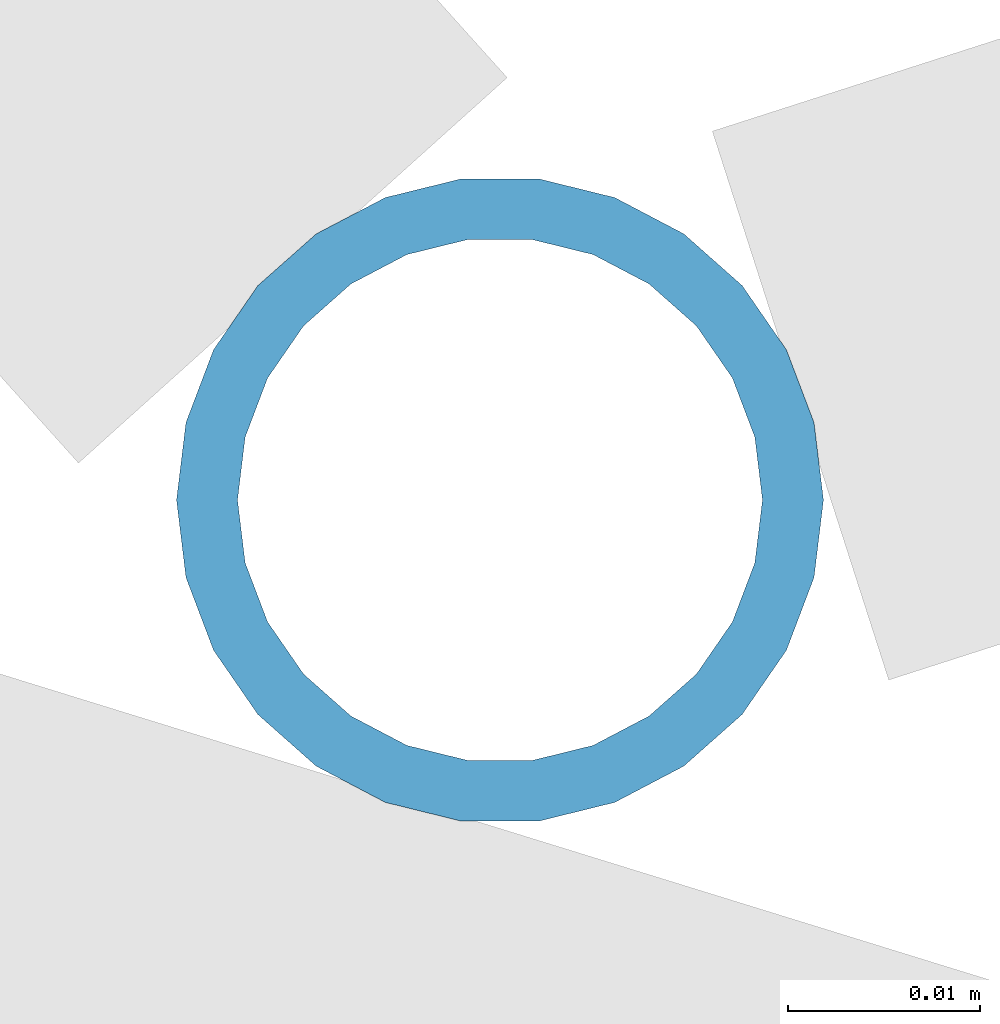
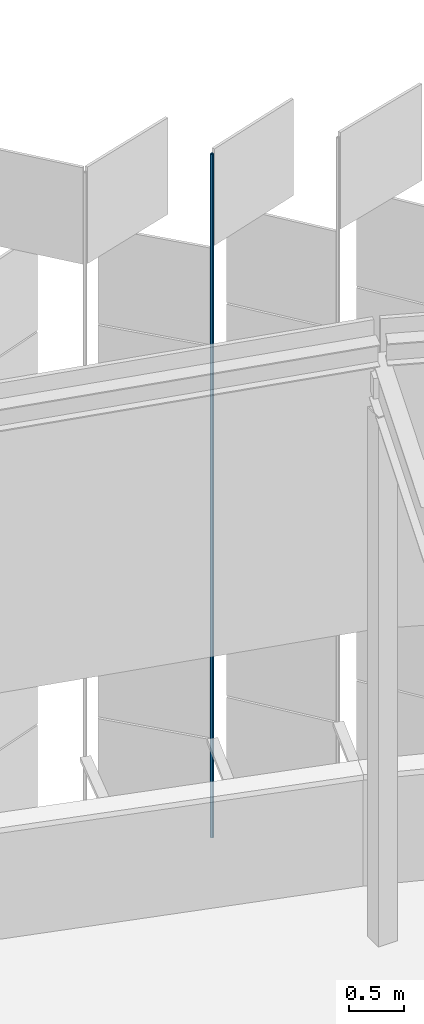
# One storey, part 406 of 483: 1 discrete accessory.
"""IFC4 building model written with IfcOpenShell, lengths in metres."""

import ifcopenshell
import ifcopenshell.guid

model = None  # the IFC model being written
_history = None  # IfcOwnerHistory: only IFC2X3 demands one
_inside = {}  # id of a spatial element -> (the spatial element, [elements in it])
_under = {}  # id of a project, library or spatial element -> (it, [spatial elements below it])
_declared = {}  # id of a project -> (the project, [libraries it declares])
_typed = {}  # id of a type object -> (the type object, [elements of that type])
_made_of = {}  # id of a material, layer set ... -> (it, [elements and type objects made of it])


def new_model(schema):
    """Start an empty IFC model of exactly this schema.

    Asked for "IFC4X3", IfcOpenShell would pick the latest addendum, in which some entities
    have other attributes; the version numbers below select the first issue.
    IFC2X3 requires an IfcOwnerHistory on every rooted entity: one is made here for all.
    """
    global model, _history
    if schema == "IFC4X3":
        model = ifcopenshell.file(schema_version=(4, 3, 0, 0))
    else:
        model = ifcopenshell.file(schema=schema)
    _inside.clear()
    _under.clear()
    _declared.clear()
    _typed.clear()
    _made_of.clear()
    _history = None
    if model.schema == "IFC2X3":
        org = make("IfcOrganization", Name="unknown")
        user = make(
            "IfcPersonAndOrganization",
            ThePerson=make("IfcPerson", FamilyName="unknown"),
            TheOrganization=org,
        )
        app = make(
            "IfcApplication",
            ApplicationDeveloper=org,
            Version="unknown",
            ApplicationFullName="unknown",
            ApplicationIdentifier="unknown",
        )
        _history = make(
            "IfcOwnerHistory",
            OwningUser=user,
            OwningApplication=app,
            ChangeAction="ADDED",
            CreationDate=0,
        )
    return model


def make(cls, **values):
    """One entity of the class cls with the attributes given. An attribute that is None is left unset."""
    return model.create_entity(
        cls, **{name: value for name, value in values.items() if value is not None}
    )


def rooted(cls, **values):
    """An entity with a GlobalId (a new one), such as an element, a storey or a relation."""
    return make(cls, GlobalId=ifcopenshell.guid.new(), OwnerHistory=_history, **values)


def si_unit(unit_type, name, prefix=None):
    """IfcSIUnit, for example si_unit("LENGTHUNIT", "METRE", prefix="MILLI")."""
    return make("IfcSIUnit", UnitType=unit_type, Prefix=prefix, Name=name)


def assignment(units):
    """IfcUnitAssignment: the units of a project."""
    return None if units is None else make("IfcUnitAssignment", Units=units)


def point(xyz):
    """IfcCartesianPoint."""
    return None if xyz is None else make("IfcCartesianPoint", Coordinates=xyz)


def direction(xyz):
    """IfcDirection."""
    return None if xyz is None else make("IfcDirection", DirectionRatios=xyz)


def frame(location, z_axis=None, x_axis=None):
    """IfcAxis2Placement3D, a coordinate frame: its origin and axes. An axis left out is left unset."""
    return make(
        "IfcAxis2Placement3D",
        Location=point(location),
        Axis=direction(z_axis),
        RefDirection=direction(x_axis),
    )


def frame_2d(location, x_axis=None):
    """IfcAxis2Placement2D, a coordinate frame in the plane: its origin and x axis."""
    return make(
        "IfcAxis2Placement2D", Location=point(location), RefDirection=direction(x_axis)
    )


def origin():
    """The frame at (0, 0, 0) with its axes left unset."""
    return frame((0.0, 0.0, 0.0))


def origin_2d():
    """The frame at (0, 0) in the plane with its x axis left unset."""
    return frame_2d((0.0, 0.0))


def place(relative_to, where):
    """IfcLocalPlacement: puts the frame where relative to a parent placement (None: the world)."""
    return make(
        "IfcLocalPlacement", PlacementRelTo=relative_to, RelativePlacement=where
    )


def context(
    kind, dimensions, precision=None, world=None, true_north=None, identifier=None
):
    """IfcGeometricRepresentationContext, for example the 3D "Model" context."""
    return make(
        "IfcGeometricRepresentationContext",
        ContextIdentifier=identifier,
        ContextType=kind,
        CoordinateSpaceDimension=dimensions,
        Precision=precision,
        WorldCoordinateSystem=world,
        TrueNorth=true_north,
    )


def subcontext(parent, identifier, kind, view, scale=None):
    """IfcGeometricRepresentationSubContext, for example "Body" below "Model"."""
    return make(
        "IfcGeometricRepresentationSubContext",
        ContextIdentifier=identifier,
        ContextType=kind,
        ParentContext=parent,
        TargetScale=scale,
        TargetView=view,
    )


def project(units=None, contexts=None):
    """IfcProject with its units and contexts."""
    return rooted(
        "IfcProject",
        Name="project",
        RepresentationContexts=contexts,
        UnitsInContext=assignment(units),
    )


def spatial(cls, under=None, at=None, **own):
    """A site, building, storey or space (cls), placed at a placement, below another one or the project."""
    s = rooted(cls, ObjectPlacement=at, **own)
    if under is not None:
        _under.setdefault(under.id(), (under, []))[1].append(s)
    return s


def profile(cls, at=None, kind="AREA", **sizes):
    """A parametric profile (cls). Its sizes go by their IFC names, for example OverallWidth=200.0."""
    return make(cls, ProfileType=kind, Position=at, **sizes)


def hollow_circle(**sizes):
    """IfcCircleHollowProfileDef."""
    return profile("IfcCircleHollowProfileDef", **sizes)


def extrude(swept, where, along, depth):
    """IfcExtrudedAreaSolid: the profile swept, set in the frame where, extruded along a direction by depth."""
    return make(
        "IfcExtrudedAreaSolid",
        SweptArea=swept,
        Position=where,
        ExtrudedDirection=direction(along),
        Depth=depth,
    )


def shape(context_of_items, identifier, shape_type, items):
    """IfcShapeRepresentation: the items that make up one representation, for example the "Body"."""
    return make(
        "IfcShapeRepresentation",
        ContextOfItems=context_of_items,
        RepresentationIdentifier=identifier,
        RepresentationType=shape_type,
        Items=items,
    )


def material(Name=None, Category=None):
    """IfcMaterial."""
    return make("IfcMaterial", Name=Name, Category=Category)


def material_profile(
    of_material, cross_section, Name=None, Category=None, Priority=None
):
    """IfcMaterialProfile: a cross section and its material."""
    return make(
        "IfcMaterialProfile",
        Name=Name,
        Material=of_material,
        Profile=cross_section,
        Priority=Priority,
        Category=Category,
    )


def profile_set(profiles, Name=None, composite=None):
    """IfcMaterialProfileSet."""
    return make(
        "IfcMaterialProfileSet",
        Name=Name,
        MaterialProfiles=profiles,
        CompositeProfile=composite,
    )


def made_of(thing, what):
    """Note that an element or type object is made of a material, layer set ...; save() writes the relation."""
    if what is not None:
        _made_of.setdefault(what.id(), (what, []))[1].append(thing)
    return thing


def type_object(cls, material=None, **own):
    """A type object (cls), such as IfcWallType, which elements share."""
    return made_of(rooted(cls, **own), material)


def element(
    cls,
    number,
    at=None,
    inside=None,
    cuts=None,
    type_object=None,
    material=None,
    context=None,
    identifier="Body",
    shape_type=None,
    held_by="IfcProductDefinitionShape",
    body=None,
    shapes=None,
    **own,
):
    """One element of the class cls, such as IfcWall. Its Tag is "e" and its number.

    at: its placement. inside: the storey or other place that contains it. cuts: it is an
    opening in that element (IfcRelVoidsElement). A single representation is given by context,
    identifier, shape_type and body (its items); several are given by shapes. held_by: the class
    of the entity that holds the representations. save() writes the other relations.
    """
    e = rooted(cls, Tag="e%d" % number, ObjectPlacement=at, **own)
    if body is not None:
        shapes = [shape(context, identifier, shape_type, body)]
    if shapes is not None:
        e.Representation = make(held_by, Representations=shapes)
    if inside is not None:
        _inside.setdefault(inside.id(), (inside, []))[1].append(e)
    if cuts is not None:
        rooted(
            "IfcRelVoidsElement", RelatingBuildingElement=cuts, RelatedOpeningElement=e
        )
    if type_object is not None:
        _typed.setdefault(type_object.id(), (type_object, []))[1].append(e)
    return made_of(e, material)


def aggregate(whole, parts):
    """IfcRelAggregates: a whole, such as a stair, and the parts it consists of."""
    return rooted("IfcRelAggregates", RelatingObject=whole, RelatedObjects=parts)


def save(model, path):
    """Write the relations noted so far, then the file.

    IfcRelAggregates (storeys below a building ...), IfcRelContainedInSpatialStructure (elements
    in a storey), IfcRelDefinesByType, IfcRelAssociatesMaterial and IfcRelDeclares: one each for
    every whole, place, type object, material and project.
    """
    for whole, parts in _under.values():
        aggregate(whole, parts)
    for where, things in _inside.values():
        rooted(
            "IfcRelContainedInSpatialStructure",
            RelatedElements=things,
            RelatingStructure=where,
        )
    for kind, things in _typed.values():
        rooted("IfcRelDefinesByType", RelatedObjects=things, RelatingType=kind)
    for what, things in _made_of.values():
        rooted("IfcRelAssociatesMaterial", RelatedObjects=things, RelatingMaterial=what)
    for by, libraries in _declared.values():
        rooted("IfcRelDeclares", RelatingContext=by, RelatedDefinitions=libraries)
    model.write(path)


model = new_model("IFC4")

# Units and contexts
model_context = context("Model", 3, precision=1e-05, world=origin(), true_north=direction((0.0, 1.0)))
body_context = subcontext(model_context, "Body", "Model", "MODEL_VIEW")
ifc_project = project(units=[si_unit("LENGTHUNIT", "METRE"), si_unit("AREAUNIT", "SQUARE_METRE"), si_unit("VOLUMEUNIT", "CUBIC_METRE"), si_unit("PLANEANGLEUNIT", "RADIAN"), si_unit("MASSUNIT", "GRAM", prefix="KILO")], contexts=[model_context])

# Site, building, storey
site_placement = place(None, origin())
site = spatial("IfcSite", under=ifc_project, at=site_placement, CompositionType="ELEMENT")
building_placement = place(site_placement, origin())
building = spatial("IfcBuilding", under=site, at=building_placement, Name="Parallax Yard Mobility Hub", CompositionType="ELEMENT")
storey_placement = place(building_placement, frame((0.0, 0.0, 13.199951171875)))
storey = spatial("IfcBuildingStorey", under=building, at=storey_placement, Name="L04", CompositionType="ELEMENT", Elevation=13.199951171875)

# Discrete accessory
ifc_material = material(Name="Steel ASTM A500 Gr C, hot-dip galvanised", Category="steel")
ifc_material_profile = material_profile(ifc_material, hollow_circle(Radius=0.016845703125, WallThickness=0.003173828125, at=origin_2d()), Name="CHS 33.7x3.2")
ifc_profile_set = profile_set([ifc_material_profile], Name="Steel ASTM A500 Gr C, hot-dip galvanised")
discrete_accessory_type = type_object("IfcDiscreteAccessoryType", Name="Hinge post CHS 33.7x3.2", PredefinedType="BRACKET", material=ifc_profile_set)
discrete_accessory_placement = place(storey_placement, frame((187.8388671875, 141.06640625, 0.0), z_axis=(0.0, 0.0, 1.0), x_axis=(1.0, 0.0, 0.0)))
element("IfcDiscreteAccessory", 1, at=discrete_accessory_placement, inside=storey, type_object=discrete_accessory_type, Name="Hinge post bay 49.2 level L04", PredefinedType="BRACKET", context=body_context, shape_type="SweptSolid", body=[
    extrude(hollow_circle(Radius=0.016845703125, WallThickness=0.003173828125, at=origin_2d()), origin(), (0.0, 0.0, 1.0), 7.650146484375),
])

save(model, "model.ifc")
